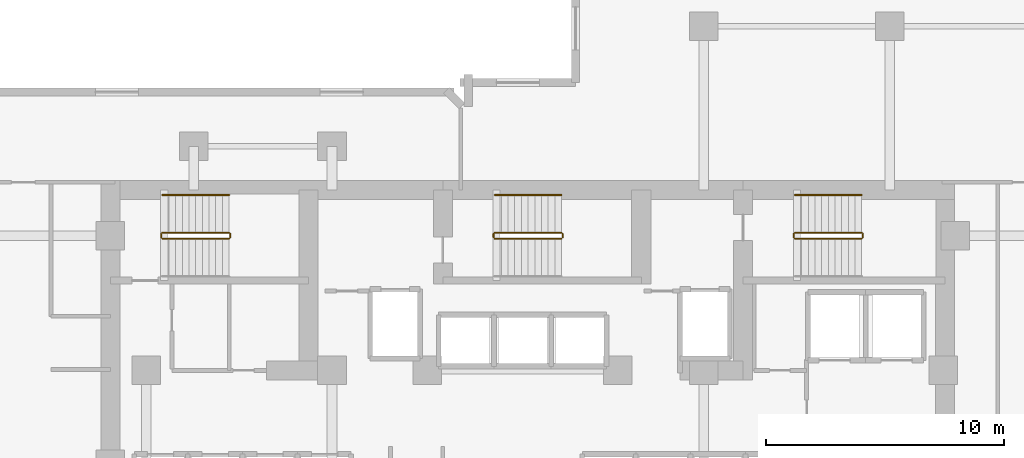
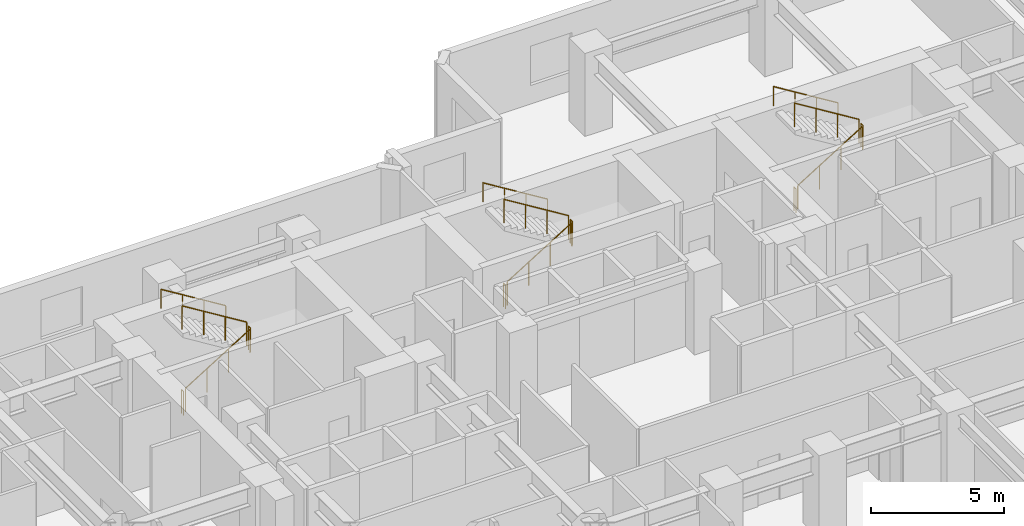
# One storey, part 11 of 11: 15 railings.
"""IFC4 building model written with IfcOpenShell, lengths in metres."""

from ifc_helpers import new_model, si_unit, direction, frame, origin, origin_2d, place, context, subcontext, project, spatial, circle, extrude, material, type_object, element, save


model = new_model("IFC4")

# Units and contexts
model_context = context("Model", 3, precision=1e-05, world=origin(), true_north=direction((0.0, 1.0)))
body_context = subcontext(model_context, "Body", "Model", "MODEL_VIEW")
ifc_project = project(units=[si_unit("LENGTHUNIT", "METRE"), si_unit("AREAUNIT", "SQUARE_METRE"), si_unit("VOLUMEUNIT", "CUBIC_METRE"), si_unit("PLANEANGLEUNIT", "RADIAN"), si_unit("MASSUNIT", "GRAM", prefix="KILO")], contexts=[model_context])

# Site, building, storey
site_placement = place(None, origin())
site = spatial("IfcSite", under=ifc_project, at=site_placement, CompositionType="ELEMENT")
building_placement = place(site_placement, origin())
building = spatial("IfcBuilding", under=site, at=building_placement, Name="Kestravale Grand Hotel", CompositionType="ELEMENT")
storey_placement = place(building_placement, frame((0.0, 0.0, 114.60009765625)))
storey = spatial("IfcBuildingStorey", under=building, at=storey_placement, Name="L28", CompositionType="ELEMENT", Elevation=114.60009765625)

# Railings
ifc_material_1 = material(Name="Painted tubular steel stair well guard", Category="steel")
railing_type_1 = type_object("IfcRailingType", Name="RL-ST-GRD1100", PredefinedType="GUARDRAIL", material=ifc_material_1)
railing_1_placement = place(storey_placement, frame((24.080078125, 38.280029296875, 0.172607421875)))
element("IfcRailing", 1, at=railing_1_placement, inside=storey, type_object=railing_type_1, Name="L28 ST-1 stair guard 1", PredefinedType="GUARDRAIL", context=body_context, shape_type="SweptSolid", body=[
    extrude(circle(Radius=0.02392578125, at=origin_2d()), frame((0.0, 0.0, 1.076171875), z_axis=(0.851069175582, 0.0, 0.525053576669), x_axis=(0.0, 1.0, 0.0)), (0.0, 0.0, 1.0), 3.289794921875),
    extrude(circle(Radius=0.02099609375, at=origin_2d()), origin(), (0.0, 0.0, 1.0), 1.052001953125),
    extrude(circle(Radius=0.02099609375, at=origin_2d()), frame((0.933349609375, 0.0, 0.57568359375)), (0.0, 0.0, 1.0), 1.052001953125),
    extrude(circle(Radius=0.02099609375, at=origin_2d()), frame((1.866455078125, 0.0, 1.151611328125)), (0.0, 0.0, 1.0), 1.052001953125),
    extrude(circle(Radius=0.02099609375, at=origin_2d()), frame((2.7998046875, 0.0, 1.727294921875)), (0.0, 0.0, 1.0), 1.052001953125),
])
railing_2_placement = place(storey_placement, frame((26.929931640625, 38.330078125, 1.89990234375)))
element("IfcRailing", 2, at=railing_2_placement, inside=storey, type_object=railing_type_1, Name="L28 ST-1 stair guard 2", PredefinedType="GUARDRAIL", context=body_context, shape_type="SweptSolid", body=[
    extrude(circle(Radius=0.02392578125, at=origin_2d()), frame((0.0, 0.0, 1.076171875), z_axis=(0.0, 1.0, 0.0), x_axis=(-1.0, 0.0, 0.0)), (0.0, 0.0, 1.0), 0.14990234375),
    extrude(circle(Radius=0.02099609375, at=origin_2d()), origin(), (0.0, 0.0, 1.0), 1.052001953125),
    extrude(circle(Radius=0.02099609375, at=origin_2d()), frame((0.0, 0.14990234375, 0.0)), (0.0, 0.0, 1.0), 1.052001953125),
])
railing_3_placement = place(storey_placement, frame((26.8798828125, 38.530029296875, 2.072509765625)))
element("IfcRailing", 3, at=railing_3_placement, inside=storey, type_object=railing_type_1, Name="L28 ST-1 stair guard 3", PredefinedType="GUARDRAIL", context=body_context, shape_type="SweptSolid", body=[
    extrude(circle(Radius=0.02392578125, at=origin_2d()), frame((0.0, 0.0, 1.076171875), z_axis=(-0.851069175582, 0.0, 0.525053576669), x_axis=(0.0, -1.0, 0.0)), (0.0, 0.0, 1.0), 3.289794921875),
    extrude(circle(Radius=0.02099609375, at=origin_2d()), origin(), (0.0, 0.0, 1.0), 1.052001953125),
    extrude(circle(Radius=0.02099609375, at=origin_2d()), frame((-0.933349609375, 0.0, 0.57568359375)), (0.0, 0.0, 1.0), 1.052001953125),
    extrude(circle(Radius=0.02099609375, at=origin_2d()), frame((-1.866455078125, 0.0, 1.151611328125)), (0.0, 0.0, 1.0), 1.052001953125),
    extrude(circle(Radius=0.02099609375, at=origin_2d()), frame((-2.7998046875, 0.0, 1.727294921875)), (0.0, 0.0, 1.0), 1.052001953125),
])
railing_4_placement = place(storey_placement, frame((24.030029296875, 38.330078125, 0.0)))
element("IfcRailing", 4, at=railing_4_placement, inside=storey, type_object=railing_type_1, Name="L28 ST-1 stair guard 4", PredefinedType="GUARDRAIL", context=body_context, shape_type="SweptSolid", body=[
    extrude(circle(Radius=0.02392578125, at=origin_2d()), frame((0.0, 0.0, 1.076171875), z_axis=(0.0, 1.0, 0.0), x_axis=(-1.0, 0.0, 0.0)), (0.0, 0.0, 1.0), 0.14990234375),
    extrude(circle(Radius=0.02099609375, at=origin_2d()), origin(), (0.0, 0.0, 1.0), 1.052001953125),
    extrude(circle(Radius=0.02099609375, at=origin_2d()), frame((0.0, 0.14990234375, 0.0)), (0.0, 0.0, 1.0), 1.052001953125),
])
railing_5_placement = place(storey_placement, frame((38.030029296875, 38.280029296875, 0.172607421875)))
element("IfcRailing", 5, at=railing_5_placement, inside=storey, type_object=railing_type_1, Name="L28 ST-2 stair guard 1", PredefinedType="GUARDRAIL", context=body_context, shape_type="SweptSolid", body=[
    extrude(circle(Radius=0.02392578125, at=origin_2d()), frame((0.0, 0.0, 1.076171875), z_axis=(0.851089632645, 0.0, 0.525020415988), x_axis=(0.0, 1.0, 0.0)), (0.0, 0.0, 1.0), 3.2900390625),
    extrude(circle(Radius=0.02099609375, at=origin_2d()), origin(), (0.0, 0.0, 1.0), 1.052001953125),
    extrude(circle(Radius=0.02099609375, at=origin_2d()), frame((0.933349609375, 0.0, 0.57568359375)), (0.0, 0.0, 1.0), 1.052001953125),
    extrude(circle(Radius=0.02099609375, at=origin_2d()), frame((1.86669921875, 0.0, 1.151611328125)), (0.0, 0.0, 1.0), 1.052001953125),
    extrude(circle(Radius=0.02099609375, at=origin_2d()), frame((2.800048828125, 0.0, 1.727294921875)), (0.0, 0.0, 1.0), 1.052001953125),
])
railing_6_placement = place(storey_placement, frame((40.8798828125, 38.330078125, 1.89990234375)))
element("IfcRailing", 6, at=railing_6_placement, inside=storey, type_object=railing_type_1, Name="L28 ST-2 stair guard 2", PredefinedType="GUARDRAIL", context=body_context, shape_type="SweptSolid", body=[
    extrude(circle(Radius=0.02392578125, at=origin_2d()), frame((0.0, 0.0, 1.076171875), z_axis=(0.0, 1.0, 0.0), x_axis=(-1.0, 0.0, 0.0)), (0.0, 0.0, 1.0), 0.14990234375),
    extrude(circle(Radius=0.02099609375, at=origin_2d()), origin(), (0.0, 0.0, 1.0), 1.052001953125),
    extrude(circle(Radius=0.02099609375, at=origin_2d()), frame((0.0, 0.14990234375, 0.0)), (0.0, 0.0, 1.0), 1.052001953125),
])
railing_7_placement = place(storey_placement, frame((40.830078125, 38.530029296875, 2.072509765625)))
element("IfcRailing", 7, at=railing_7_placement, inside=storey, type_object=railing_type_1, Name="L28 ST-2 stair guard 3", PredefinedType="GUARDRAIL", context=body_context, shape_type="SweptSolid", body=[
    extrude(circle(Radius=0.02392578125, at=origin_2d()), frame((0.0, 0.0, 1.076171875), z_axis=(-0.851089632645, 0.0, 0.525020415988), x_axis=(0.0, -1.0, 0.0)), (0.0, 0.0, 1.0), 3.2900390625),
    extrude(circle(Radius=0.02099609375, at=origin_2d()), origin(), (0.0, 0.0, 1.0), 1.052001953125),
    extrude(circle(Radius=0.02099609375, at=origin_2d()), frame((-0.933349609375, 0.0, 0.57568359375)), (0.0, 0.0, 1.0), 1.052001953125),
    extrude(circle(Radius=0.02099609375, at=origin_2d()), frame((-1.86669921875, 0.0, 1.151611328125)), (0.0, 0.0, 1.0), 1.052001953125),
    extrude(circle(Radius=0.02099609375, at=origin_2d()), frame((-2.800048828125, 0.0, 1.727294921875)), (0.0, 0.0, 1.0), 1.052001953125),
])
railing_8_placement = place(storey_placement, frame((37.97998046875, 38.330078125, 0.0)))
element("IfcRailing", 8, at=railing_8_placement, inside=storey, type_object=railing_type_1, Name="L28 ST-2 stair guard 4", PredefinedType="GUARDRAIL", context=body_context, shape_type="SweptSolid", body=[
    extrude(circle(Radius=0.02392578125, at=origin_2d()), frame((0.0, 0.0, 1.076171875), z_axis=(0.0, 1.0, 0.0), x_axis=(-1.0, 0.0, 0.0)), (0.0, 0.0, 1.0), 0.14990234375),
    extrude(circle(Radius=0.02099609375, at=origin_2d()), origin(), (0.0, 0.0, 1.0), 1.052001953125),
    extrude(circle(Radius=0.02099609375, at=origin_2d()), frame((0.0, 0.14990234375, 0.0)), (0.0, 0.0, 1.0), 1.052001953125),
])
railing_9_placement = place(storey_placement, frame((50.6298828125, 38.280029296875, 0.172607421875)))
element("IfcRailing", 9, at=railing_9_placement, inside=storey, type_object=railing_type_1, Name="L28 ST-3 stair guard 1", PredefinedType="GUARDRAIL", context=body_context, shape_type="SweptSolid", body=[
    extrude(circle(Radius=0.02392578125, at=origin_2d()), frame((0.0, 0.0, 1.076171875), z_axis=(0.851089632645, 0.0, 0.525020415988), x_axis=(0.0, 1.0, 0.0)), (0.0, 0.0, 1.0), 3.2900390625),
    extrude(circle(Radius=0.02099609375, at=origin_2d()), origin(), (0.0, 0.0, 1.0), 1.052001953125),
    extrude(circle(Radius=0.02099609375, at=origin_2d()), frame((0.933349609375, 0.0, 0.57568359375)), (0.0, 0.0, 1.0), 1.052001953125),
    extrude(circle(Radius=0.02099609375, at=origin_2d()), frame((1.86669921875, 0.0, 1.151611328125)), (0.0, 0.0, 1.0), 1.052001953125),
    extrude(circle(Radius=0.02099609375, at=origin_2d()), frame((2.800048828125, 0.0, 1.727294921875)), (0.0, 0.0, 1.0), 1.052001953125),
])
railing_10_placement = place(storey_placement, frame((53.47998046875, 38.330078125, 1.89990234375)))
element("IfcRailing", 10, at=railing_10_placement, inside=storey, type_object=railing_type_1, Name="L28 ST-3 stair guard 2", PredefinedType="GUARDRAIL", context=body_context, shape_type="SweptSolid", body=[
    extrude(circle(Radius=0.02392578125, at=origin_2d()), frame((0.0, 0.0, 1.076171875), z_axis=(0.0, 1.0, 0.0), x_axis=(-1.0, 0.0, 0.0)), (0.0, 0.0, 1.0), 0.14990234375),
    extrude(circle(Radius=0.02099609375, at=origin_2d()), origin(), (0.0, 0.0, 1.0), 1.052001953125),
    extrude(circle(Radius=0.02099609375, at=origin_2d()), frame((0.0, 0.14990234375, 0.0)), (0.0, 0.0, 1.0), 1.052001953125),
])
railing_11_placement = place(storey_placement, frame((53.429931640625, 38.530029296875, 2.072509765625)))
element("IfcRailing", 11, at=railing_11_placement, inside=storey, type_object=railing_type_1, Name="L28 ST-3 stair guard 3", PredefinedType="GUARDRAIL", context=body_context, shape_type="SweptSolid", body=[
    extrude(circle(Radius=0.02392578125, at=origin_2d()), frame((0.0, 0.0, 1.076171875), z_axis=(-0.851089632645, 0.0, 0.525020415988), x_axis=(0.0, -1.0, 0.0)), (0.0, 0.0, 1.0), 3.2900390625),
    extrude(circle(Radius=0.02099609375, at=origin_2d()), origin(), (0.0, 0.0, 1.0), 1.052001953125),
    extrude(circle(Radius=0.02099609375, at=origin_2d()), frame((-0.933349609375, 0.0, 0.57568359375)), (0.0, 0.0, 1.0), 1.052001953125),
    extrude(circle(Radius=0.02099609375, at=origin_2d()), frame((-1.86669921875, 0.0, 1.151611328125)), (0.0, 0.0, 1.0), 1.052001953125),
    extrude(circle(Radius=0.02099609375, at=origin_2d()), frame((-2.800048828125, 0.0, 1.727294921875)), (0.0, 0.0, 1.0), 1.052001953125),
])
railing_12_placement = place(storey_placement, frame((50.580078125, 38.330078125, 0.0)))
element("IfcRailing", 12, at=railing_12_placement, inside=storey, type_object=railing_type_1, Name="L28 ST-3 stair guard 4", PredefinedType="GUARDRAIL", context=body_context, shape_type="SweptSolid", body=[
    extrude(circle(Radius=0.02392578125, at=origin_2d()), frame((0.0, 0.0, 1.076171875), z_axis=(0.0, 1.0, 0.0), x_axis=(-1.0, 0.0, 0.0)), (0.0, 0.0, 1.0), 0.14990234375),
    extrude(circle(Radius=0.02099609375, at=origin_2d()), origin(), (0.0, 0.0, 1.0), 1.052001953125),
    extrude(circle(Radius=0.02099609375, at=origin_2d()), frame((0.0, 0.14990234375, 0.0)), (0.0, 0.0, 1.0), 1.052001953125),
])
ifc_material_2 = material(Name="Brushed stainless steel wall handrail", Category="steel")
railing_type_2 = type_object("IfcRailingType", Name="RL-ST-HND900", PredefinedType="HANDRAIL", material=ifc_material_2)
railing_13_placement = place(storey_placement, frame((26.8798828125, 40.110107421875, 2.072509765625)))
element("IfcRailing", 13, at=railing_13_placement, inside=storey, type_object=railing_type_2, Name="L28 ST-1 stair handrail 2", PredefinedType="HANDRAIL", context=body_context, shape_type="SweptSolid", body=[
    extrude(circle(Radius=0.02392578125, at=origin_2d()), frame((0.0, 0.0, 0.8759765625), z_axis=(-0.851069175582, 0.0, 0.525053576669), x_axis=(0.0, -1.0, 0.0)), (0.0, 0.0, 1.0), 3.289794921875),
    extrude(circle(Radius=0.02099609375, at=origin_2d()), origin(), (0.0, 0.0, 1.0), 0.851806640625),
    extrude(circle(Radius=0.02099609375, at=origin_2d()), frame((-0.933349609375, 0.0, 0.57568359375)), (0.0, 0.0, 1.0), 0.851806640625),
    extrude(circle(Radius=0.02099609375, at=origin_2d()), frame((-1.866455078125, 0.0, 1.151611328125)), (0.0, 0.0, 1.0), 0.851806640625),
    extrude(circle(Radius=0.02099609375, at=origin_2d()), frame((-2.7998046875, 0.0, 1.727294921875)), (0.0, 0.0, 1.0), 0.851806640625),
])
for number, where, name in (
    (14, (40.830078125, 40.110107421875, 2.072509765625), "L28 ST-2 stair handrail 2"),
    (15, (53.429931640625, 40.110107421875, 2.072509765625), "L28 ST-3 stair handrail 2"),
):
    element("IfcRailing", number, at=place(storey_placement, frame(where)), inside=storey, type_object=railing_type_2, Name=name, PredefinedType="HANDRAIL", context=body_context, shape_type="SweptSolid", body=[
        extrude(circle(Radius=0.02392578125, at=origin_2d()), frame((0.0, 0.0, 0.8759765625), z_axis=(-0.851089632645, 0.0, 0.525020415988), x_axis=(0.0, -1.0, 0.0)), (0.0, 0.0, 1.0), 3.2900390625),
        extrude(circle(Radius=0.02099609375, at=origin_2d()), origin(), (0.0, 0.0, 1.0), 0.851806640625),
        extrude(circle(Radius=0.02099609375, at=origin_2d()), frame((-0.933349609375, 0.0, 0.57568359375)), (0.0, 0.0, 1.0), 0.851806640625),
        extrude(circle(Radius=0.02099609375, at=origin_2d()), frame((-1.86669921875, 0.0, 1.151611328125)), (0.0, 0.0, 1.0), 0.851806640625),
        extrude(circle(Radius=0.02099609375, at=origin_2d()), frame((-2.800048828125, 0.0, 1.727294921875)), (0.0, 0.0, 1.0), 0.851806640625),
    ])

save(model, "model.ifc")
